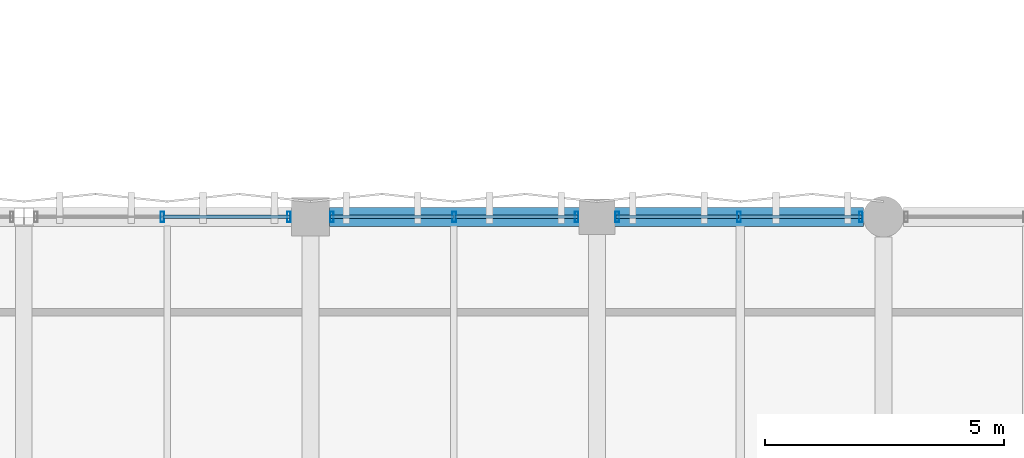
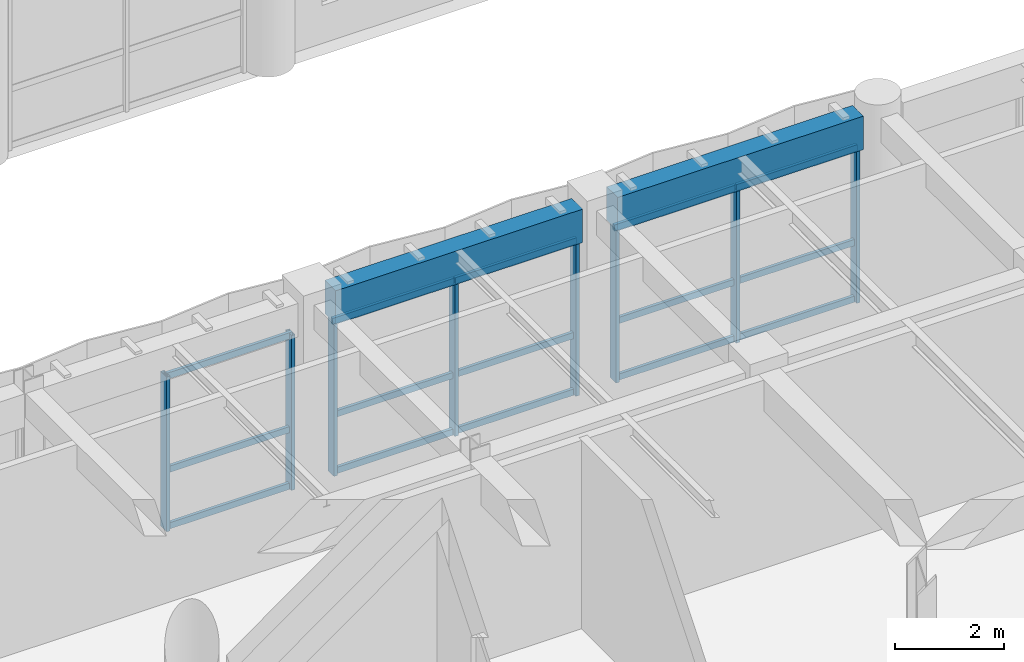
# One storey, part 43 of 133: 23 members, 2 beams, 3 elements without a shape of their own.
"""IFC4 building model written with IfcOpenShell, lengths in metres."""

from ifc_helpers import new_model, si_unit, direction, frame, origin, origin_2d, place, context, subcontext, project, spatial, rectangle, hollow_rectangle, extrude, material, material_profile, profile_set, type_object, element, aggregate, save


model = new_model("IFC4")

# Units and contexts
model_context = context("Model", 3, precision=1e-05, world=origin(), true_north=direction((0.0, 1.0)))
body_context = subcontext(model_context, "Body", "Model", "MODEL_VIEW")
ifc_project = project(units=[si_unit("LENGTHUNIT", "METRE"), si_unit("AREAUNIT", "SQUARE_METRE"), si_unit("VOLUMEUNIT", "CUBIC_METRE"), si_unit("PLANEANGLEUNIT", "RADIAN"), si_unit("MASSUNIT", "GRAM", prefix="KILO"), si_unit("THERMODYNAMICTEMPERATUREUNIT", "KELVIN"), si_unit("POWERUNIT", "WATT")], contexts=[model_context])

# Site, building, storey
site_placement = place(None, origin())
site = spatial("IfcSite", under=ifc_project, at=site_placement, CompositionType="ELEMENT")
building_placement = place(site_placement, origin())
building = spatial("IfcBuilding", under=site, at=building_placement, Name="Phaisarnlok Congress Hotel", CompositionType="ELEMENT")
storey_placement = place(building_placement, frame((0.0, 0.0, 6.0)))
storey = spatial("IfcBuildingStorey", under=building, at=storey_placement, Name="L01", CompositionType="ELEMENT", Elevation=6.0)

# Curtain wall, members
ifc_material_1 = material(Name="Thermally Broken Unitised Aluminium & Low-E Glazing", Category="aluminium")
curtain_wall_type_1 = type_object("IfcCurtainWallType", Name="CW-UNIT-15", PredefinedType="NOTDEFINED", material=ifc_material_1)
curtain_wall_1_placement = place(storey_placement, origin())
curtain_wall_1 = element("IfcCurtainWall", 1, at=curtain_wall_1_placement, inside=storey, type_object=curtain_wall_type_1, Name="Unitised curtain wall CW-15 (L01)", PredefinedType="NOTDEFINED")
ifc_material_2 = material(Name="Anodised Aluminium Alloy 6063-T6", Category="aluminium")
ifc_material_profile_1 = material_profile(ifc_material_2, hollow_rectangle(XDim=0.074951171875, YDim=0.219970703125, WallThickness=0.0048828125, at=origin_2d()), Name="ALU-M 75x220x5")
ifc_profile_set_1 = profile_set([ifc_material_profile_1], Name="Anodised Aluminium Alloy 6063-T6")
member_type_1 = type_object("IfcMemberType", Name="CWM-220", PredefinedType="MULLION", material=ifc_profile_set_1)
member_1_placement = place(storey_placement, frame((95.52490234375, 96.0, 0.0), z_axis=(0.0, 0.0, 1.0), x_axis=(-1.0, 0.0, 0.0)))
member_1 = element("IfcMember", 2, at=member_1_placement, type_object=member_type_1, Name="Curtain wall mullion CWM-02", PredefinedType="MULLION", context=body_context, shape_type="SweptSolid", body=[
    extrude(hollow_rectangle(XDim=0.074951171875, YDim=0.219970703125, WallThickness=0.0048828125, at=origin_2d()), origin(), (0.0, 0.0, 1.0), 3.469970703125),
])
member_2_placement = place(storey_placement, frame((92.97509765625, 96.0, 0.0), z_axis=(0.0, 0.0, 1.0), x_axis=(-1.0, 0.0, 0.0)))
member_2 = element("IfcMember", 3, at=member_2_placement, type_object=member_type_1, Name="Curtain wall mullion CWM-02", PredefinedType="MULLION", context=body_context, shape_type="SweptSolid", body=[
    extrude(hollow_rectangle(XDim=0.074951171875, YDim=0.219970703125, WallThickness=0.0048828125, at=origin_2d()), origin(), (0.0, 0.0, 1.0), 3.469970703125),
])
member_3_placement = place(storey_placement, frame((90.425048828125, 96.0, 0.0), z_axis=(0.0, 0.0, 1.0), x_axis=(-1.0, 0.0, 0.0)))
member_3 = element("IfcMember", 4, at=member_3_placement, type_object=member_type_1, Name="Curtain wall mullion CWM-02", PredefinedType="MULLION", context=body_context, shape_type="SweptSolid", body=[
    extrude(hollow_rectangle(XDim=0.074951171875, YDim=0.219970703125, WallThickness=0.0048828125, at=origin_2d()), origin(), (0.0, 0.0, 1.0), 3.469970703125),
])

curtain_wall_2_placement = place(storey_placement, origin())
curtain_wall_2 = element("IfcCurtainWall", 5, at=curtain_wall_2_placement, inside=storey, type_object=curtain_wall_type_1, Name="Unitised curtain wall CW-15 (L01)", PredefinedType="NOTDEFINED")
member_4_placement = place(storey_placement, frame((89.574951171875, 96.0, 0.0), z_axis=(0.0, 0.0, 1.0), x_axis=(-1.0, 0.0, 0.0)))
member_4 = element("IfcMember", 6, at=member_4_placement, type_object=member_type_1, Name="Curtain wall mullion CWM-02", PredefinedType="MULLION", context=body_context, shape_type="SweptSolid", body=[
    extrude(hollow_rectangle(XDim=0.074951171875, YDim=0.219970703125, WallThickness=0.0048828125, at=origin_2d()), origin(), (0.0, 0.0, 1.0), 3.469970703125),
])
member_5_placement = place(storey_placement, frame((87.012451171875, 96.0, 0.0), z_axis=(0.0, 0.0, 1.0), x_axis=(-1.0, 0.0, 0.0)))
member_5 = element("IfcMember", 7, at=member_5_placement, type_object=member_type_1, Name="Curtain wall mullion CWM-02", PredefinedType="MULLION", context=body_context, shape_type="SweptSolid", body=[
    extrude(hollow_rectangle(XDim=0.074951171875, YDim=0.219970703125, WallThickness=0.0048828125, at=origin_2d()), origin(), (0.0, 0.0, 1.0), 3.469970703125),
])
member_6_placement = place(storey_placement, frame((84.449951171875, 96.0, 0.0), z_axis=(0.0, 0.0, 1.0), x_axis=(-1.0, 0.0, 0.0)))
member_6 = element("IfcMember", 8, at=member_6_placement, type_object=member_type_1, Name="Curtain wall mullion CWM-02", PredefinedType="MULLION", context=body_context, shape_type="SweptSolid", body=[
    extrude(hollow_rectangle(XDim=0.074951171875, YDim=0.219970703125, WallThickness=0.0048828125, at=origin_2d()), origin(), (0.0, 0.0, 1.0), 3.469970703125),
])

curtain_wall_type_2 = type_object("IfcCurtainWallType", Name="CW-UNIT-14", PredefinedType="NOTDEFINED", material=ifc_material_1)
curtain_wall_3_placement = place(storey_placement, origin())
curtain_wall_3 = element("IfcCurtainWall", 9, at=curtain_wall_3_placement, inside=storey, type_object=curtain_wall_type_2, Name="Unitised curtain wall CW-14 (L01)", PredefinedType="NOTDEFINED")
member_7_placement = place(storey_placement, frame((83.550048828125, 96.0, 0.0), z_axis=(0.0, 0.0, 1.0), x_axis=(-1.0, 0.0, 0.0)))
member_7 = element("IfcMember", 10, at=member_7_placement, type_object=member_type_1, Name="Curtain wall mullion CWM-02", PredefinedType="MULLION", context=body_context, shape_type="SweptSolid", body=[
    extrude(hollow_rectangle(XDim=0.074951171875, YDim=0.219970703125, WallThickness=0.0048828125, at=origin_2d()), origin(), (0.0, 0.0, 1.0), 3.469970703125),
])
member_8_placement = place(storey_placement, frame((80.900146484375, 96.0, 0.0), z_axis=(0.0, 0.0, 1.0), x_axis=(-1.0, 0.0, 0.0)))
member_8 = element("IfcMember", 11, at=member_8_placement, type_object=member_type_1, Name="Curtain wall mullion CWM-02", PredefinedType="MULLION", context=body_context, shape_type="SweptSolid", body=[
    extrude(hollow_rectangle(XDim=0.074951171875, YDim=0.219970703125, WallThickness=0.0048828125, at=origin_2d()), origin(), (0.0, 0.0, 1.0), 3.469970703125),
])

# Member
ifc_material_profile_2 = material_profile(ifc_material_2, hollow_rectangle(XDim=0.06494140625, YDim=0.139892578125, WallThickness=0.00390625, at=origin_2d()), Name="ALU-T 65x140x4")
ifc_profile_set_2 = profile_set([ifc_material_profile_2], Name="Anodised Aluminium Alloy 6063-T6")
member_type_2 = type_object("IfcMemberType", Name="CWT-150", PredefinedType="USERDEFINED", material=ifc_profile_set_2)
member_9_placement = place(storey_placement, frame((95.550048828125, 96.0, 0.050048828125), z_axis=(-1.0, 0.0, 0.0), x_axis=(0.0, -1.0, 0.0)))
member_9 = element("IfcMember", 12, at=member_9_placement, type_object=member_type_2, Name="Curtain wall transom CWT-01", ObjectType="TRANSOM", PredefinedType="USERDEFINED", context=body_context, shape_type="SweptSolid", body=[
    extrude(hollow_rectangle(XDim=0.06494140625, YDim=0.139892578125, WallThickness=0.00390625, at=origin_2d()), origin(), (0.0, 0.0, 1.0), 2.56005859375),
])

member_10_placement = place(storey_placement, frame((95.550048828125, 96.0, 1.318603515625), z_axis=(-1.0, 0.0, 0.0), x_axis=(0.0, -1.0, 0.0)))
member_10 = element("IfcMember", 13, at=member_10_placement, type_object=member_type_2, Name="Curtain wall transom CWT-01", ObjectType="TRANSOM", PredefinedType="USERDEFINED", context=body_context, shape_type="SweptSolid", body=[
    extrude(hollow_rectangle(XDim=0.06494140625, YDim=0.139892578125, WallThickness=0.00390625, at=origin_2d()), origin(), (0.0, 0.0, 1.0), 2.56005859375),
])

member_11_placement = place(storey_placement, frame((95.550048828125, 96.0, 3.419921875), z_axis=(-1.0, 0.0, 0.0), x_axis=(0.0, -1.0, 0.0)))
member_11 = element("IfcMember", 14, at=member_11_placement, type_object=member_type_2, Name="Curtain wall transom CWT-01", ObjectType="TRANSOM", PredefinedType="USERDEFINED", context=body_context, shape_type="SweptSolid", body=[
    extrude(hollow_rectangle(XDim=0.06494140625, YDim=0.139892578125, WallThickness=0.00390625, at=origin_2d()), origin(), (0.0, 0.0, 1.0), 2.56005859375),
])

member_12_placement = place(storey_placement, frame((92.9599609375, 96.0, 0.050048828125), z_axis=(-1.0, 0.0, 0.0), x_axis=(0.0, -1.0, 0.0)))
member_12 = element("IfcMember", 15, at=member_12_placement, type_object=member_type_2, Name="Curtain wall transom CWT-01", ObjectType="TRANSOM", PredefinedType="USERDEFINED", context=body_context, shape_type="SweptSolid", body=[
    extrude(hollow_rectangle(XDim=0.06494140625, YDim=0.139892578125, WallThickness=0.00390625, at=origin_2d()), origin(), (0.0, 0.0, 1.0), 2.56005859375),
])

member_13_placement = place(storey_placement, frame((92.9599609375, 96.0, 1.318603515625), z_axis=(-1.0, 0.0, 0.0), x_axis=(0.0, -1.0, 0.0)))
member_13 = element("IfcMember", 16, at=member_13_placement, type_object=member_type_2, Name="Curtain wall transom CWT-01", ObjectType="TRANSOM", PredefinedType="USERDEFINED", context=body_context, shape_type="SweptSolid", body=[
    extrude(hollow_rectangle(XDim=0.06494140625, YDim=0.139892578125, WallThickness=0.00390625, at=origin_2d()), origin(), (0.0, 0.0, 1.0), 2.56005859375),
])

member_14_placement = place(storey_placement, frame((92.9599609375, 96.0, 3.419921875), z_axis=(-1.0, 0.0, 0.0), x_axis=(0.0, -1.0, 0.0)))
member_14 = element("IfcMember", 17, at=member_14_placement, type_object=member_type_2, Name="Curtain wall transom CWT-01", ObjectType="TRANSOM", PredefinedType="USERDEFINED", context=body_context, shape_type="SweptSolid", body=[
    extrude(hollow_rectangle(XDim=0.06494140625, YDim=0.139892578125, WallThickness=0.00390625, at=origin_2d()), origin(), (0.0, 0.0, 1.0), 2.56005859375),
])

aggregate(curtain_wall_1, [member_1, member_2, member_3, member_9, member_10, member_11, member_12, member_13, member_14])

member_15_placement = place(storey_placement, frame((89.60009765625, 96.0, 0.050048828125), z_axis=(-1.0, 0.0, 0.0), x_axis=(0.0, -1.0, 0.0)))
member_15 = element("IfcMember", 18, at=member_15_placement, type_object=member_type_2, Name="Curtain wall transom CWT-01", ObjectType="TRANSOM", PredefinedType="USERDEFINED", context=body_context, shape_type="SweptSolid", body=[
    extrude(hollow_rectangle(XDim=0.06494140625, YDim=0.139892578125, WallThickness=0.00390625, at=origin_2d()), origin(), (0.0, 0.0, 1.0), 2.572509765625),
])

member_16_placement = place(storey_placement, frame((89.60009765625, 96.0, 1.318603515625), z_axis=(-1.0, 0.0, 0.0), x_axis=(0.0, -1.0, 0.0)))
member_16 = element("IfcMember", 19, at=member_16_placement, type_object=member_type_2, Name="Curtain wall transom CWT-01", ObjectType="TRANSOM", PredefinedType="USERDEFINED", context=body_context, shape_type="SweptSolid", body=[
    extrude(hollow_rectangle(XDim=0.06494140625, YDim=0.139892578125, WallThickness=0.00390625, at=origin_2d()), origin(), (0.0, 0.0, 1.0), 2.572509765625),
])

member_17_placement = place(storey_placement, frame((89.60009765625, 96.0, 3.419921875), z_axis=(-1.0, 0.0, 0.0), x_axis=(0.0, -1.0, 0.0)))
member_17 = element("IfcMember", 20, at=member_17_placement, type_object=member_type_2, Name="Curtain wall transom CWT-01", ObjectType="TRANSOM", PredefinedType="USERDEFINED", context=body_context, shape_type="SweptSolid", body=[
    extrude(hollow_rectangle(XDim=0.06494140625, YDim=0.139892578125, WallThickness=0.00390625, at=origin_2d()), origin(), (0.0, 0.0, 1.0), 2.572509765625),
])

member_18_placement = place(storey_placement, frame((86.99755859375, 96.0, 0.050048828125), z_axis=(-1.0, 0.0, 0.0), x_axis=(0.0, -1.0, 0.0)))
member_18 = element("IfcMember", 21, at=member_18_placement, type_object=member_type_2, Name="Curtain wall transom CWT-01", ObjectType="TRANSOM", PredefinedType="USERDEFINED", context=body_context, shape_type="SweptSolid", body=[
    extrude(hollow_rectangle(XDim=0.06494140625, YDim=0.139892578125, WallThickness=0.00390625, at=origin_2d()), origin(), (0.0, 0.0, 1.0), 2.572509765625),
])

member_19_placement = place(storey_placement, frame((86.99755859375, 96.0, 1.318603515625), z_axis=(-1.0, 0.0, 0.0), x_axis=(0.0, -1.0, 0.0)))
member_19 = element("IfcMember", 22, at=member_19_placement, type_object=member_type_2, Name="Curtain wall transom CWT-01", ObjectType="TRANSOM", PredefinedType="USERDEFINED", context=body_context, shape_type="SweptSolid", body=[
    extrude(hollow_rectangle(XDim=0.06494140625, YDim=0.139892578125, WallThickness=0.00390625, at=origin_2d()), origin(), (0.0, 0.0, 1.0), 2.572509765625),
])

member_20_placement = place(storey_placement, frame((86.99755859375, 96.0, 3.419921875), z_axis=(-1.0, 0.0, 0.0), x_axis=(0.0, -1.0, 0.0)))
member_20 = element("IfcMember", 23, at=member_20_placement, type_object=member_type_2, Name="Curtain wall transom CWT-01", ObjectType="TRANSOM", PredefinedType="USERDEFINED", context=body_context, shape_type="SweptSolid", body=[
    extrude(hollow_rectangle(XDim=0.06494140625, YDim=0.139892578125, WallThickness=0.00390625, at=origin_2d()), origin(), (0.0, 0.0, 1.0), 2.572509765625),
])

aggregate(curtain_wall_2, [member_4, member_5, member_6, member_15, member_16, member_17, member_18, member_19, member_20])

member_21_placement = place(storey_placement, frame((83.574951171875, 96.0, 0.050048828125), z_axis=(-1.0, 0.0, 0.0), x_axis=(0.0, -1.0, 0.0)))
member_21 = element("IfcMember", 24, at=member_21_placement, type_object=member_type_2, Name="Curtain wall transom CWT-01", ObjectType="TRANSOM", PredefinedType="USERDEFINED", context=body_context, shape_type="SweptSolid", body=[
    extrude(hollow_rectangle(XDim=0.06494140625, YDim=0.139892578125, WallThickness=0.00390625, at=origin_2d()), origin(), (0.0, 0.0, 1.0), 2.65966796875),
])

member_22_placement = place(storey_placement, frame((83.574951171875, 96.0, 1.318603515625), z_axis=(-1.0, 0.0, 0.0), x_axis=(0.0, -1.0, 0.0)))
member_22 = element("IfcMember", 25, at=member_22_placement, type_object=member_type_2, Name="Curtain wall transom CWT-01", ObjectType="TRANSOM", PredefinedType="USERDEFINED", context=body_context, shape_type="SweptSolid", body=[
    extrude(hollow_rectangle(XDim=0.06494140625, YDim=0.139892578125, WallThickness=0.00390625, at=origin_2d()), origin(), (0.0, 0.0, 1.0), 2.65966796875),
])

member_23_placement = place(storey_placement, frame((83.574951171875, 96.0, 3.419921875), z_axis=(-1.0, 0.0, 0.0), x_axis=(0.0, -1.0, 0.0)))
member_23 = element("IfcMember", 26, at=member_23_placement, type_object=member_type_2, Name="Curtain wall transom CWT-01", ObjectType="TRANSOM", PredefinedType="USERDEFINED", context=body_context, shape_type="SweptSolid", body=[
    extrude(hollow_rectangle(XDim=0.06494140625, YDim=0.139892578125, WallThickness=0.00390625, at=origin_2d()), origin(), (0.0, 0.0, 1.0), 2.65966796875),
])

aggregate(curtain_wall_3, [member_7, member_8, member_21, member_22, member_23])

# Beams
ifc_material_3 = material(Name="Concrete C40/50", Category="concrete")
ifc_material_profile_3 = material_profile(ifc_material_3, rectangle(XDim=0.39990234375, YDim=0.75, at=origin_2d()), Name="RC 400x750")
ifc_profile_set_3 = profile_set([ifc_material_profile_3], Name="Concrete C40/50")
beam_type = type_object("IfcBeamType", Name="SP-RC-400x750", PredefinedType="SPANDREL", material=ifc_profile_set_3)
beam_1_placement = place(storey_placement, frame((84.39501953125, 96.0, 3.844970703125), z_axis=(1.0, 0.0, 0.0), x_axis=(0.0, 1.0, 0.0)))
element("IfcBeam", 27, at=beam_1_placement, inside=storey, type_object=beam_type, Name="Beam SP-02", PredefinedType="SPANDREL", context=body_context, shape_type="SweptSolid", body=[
    extrude(rectangle(XDim=0.39990234375, YDim=0.75, at=origin_2d()), origin(), (0.0, 0.0, 1.0), 5.23486328125),
])
beam_2_placement = place(storey_placement, frame((90.3701171875, 96.0, 3.844970703125), z_axis=(1.0, 0.0, 0.0), x_axis=(0.0, 1.0, 0.0)))
element("IfcBeam", 28, at=beam_2_placement, inside=storey, type_object=beam_type, Name="Beam SP-02", PredefinedType="SPANDREL", context=body_context, shape_type="SweptSolid", body=[
    extrude(rectangle(XDim=0.39990234375, YDim=0.75, at=origin_2d()), origin(), (0.0, 0.0, 1.0), 5.2099609375),
])

save(model, "model.ifc")
